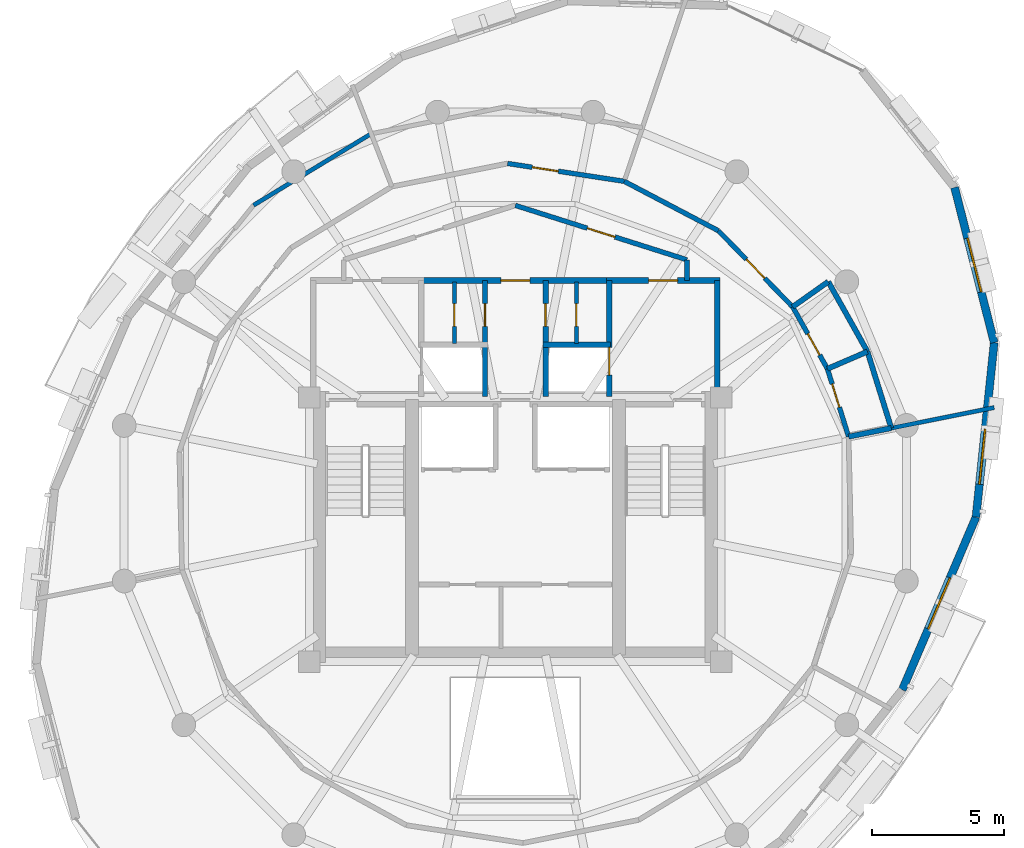
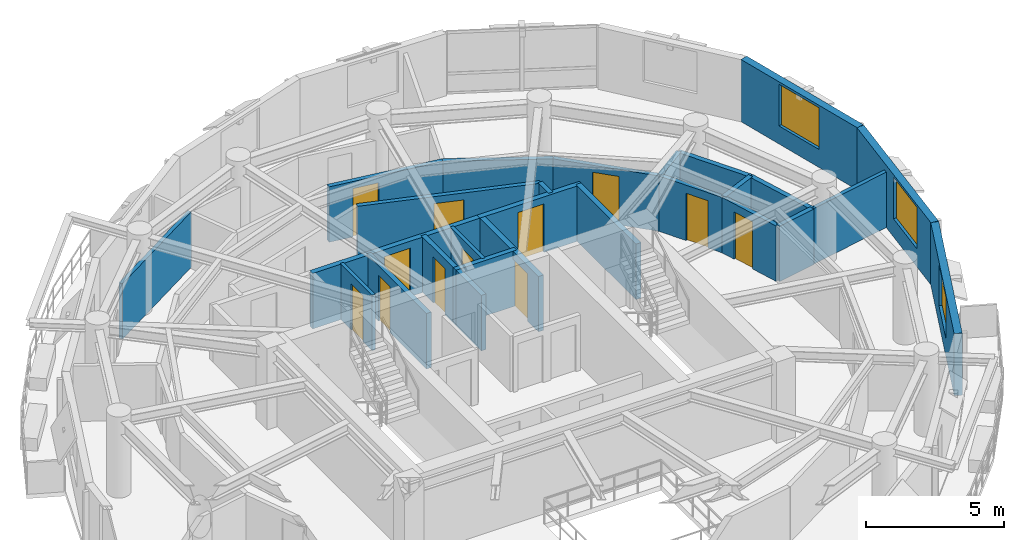
# One storey, part 8 of 11: 26 walls, 12 doors, 3 windows, 15 openings.
"""IFC4 building model written with IfcOpenShell, lengths in metres."""

from ifc_helpers import new_model, si_unit, direction, frame, frame_2d, origin, place, context, subcontext, project, spatial, rectangle, extrude, material, layer, layer_set, type_object, element, fill, save


model = new_model("IFC4")

# Units and contexts
model_context = context("Model", 3, precision=1e-05, world=origin(), true_north=direction((0.0, 1.0)))
body_context = subcontext(model_context, "Body", "Model", "MODEL_VIEW")
ifc_project = project(units=[si_unit("LENGTHUNIT", "METRE"), si_unit("AREAUNIT", "SQUARE_METRE"), si_unit("VOLUMEUNIT", "CUBIC_METRE"), si_unit("PLANEANGLEUNIT", "RADIAN"), si_unit("MASSUNIT", "GRAM", prefix="KILO"), si_unit("THERMODYNAMICTEMPERATUREUNIT", "KELVIN"), si_unit("POWERUNIT", "WATT")], contexts=[model_context])

# Site, building, storey
site_placement = place(None, origin())
site = spatial("IfcSite", under=ifc_project, at=site_placement, CompositionType="ELEMENT")
building_placement = place(site_placement, origin())
building = spatial("IfcBuilding", under=site, at=building_placement, Name="Ocrelia Relay Tower", CompositionType="ELEMENT")
storey_placement = place(building_placement, frame((0.0, 0.0, 244.800048828125)))
storey = spatial("IfcBuildingStorey", under=building, at=storey_placement, Name="L60", CompositionType="ELEMENT", Elevation=244.800048828125)

# Wall
ifc_material_1 = material(Name="Gypsum Fireboard Partition EI60", Category="gypsum")
ifc_layer_1 = layer(ifc_material_1, 0.179931640625, Name="Gypsum Fireboard Partition EI60")
ifc_layer_set_1 = layer_set([ifc_layer_1], Name="Gypsum Fireboard Partition EI60")
wall_type_1 = type_object("IfcWallType", Name="W-CORR-EI60-180", PredefinedType="PARTITIONING", material=ifc_layer_set_1)
wall_1_placement = place(storey_placement, frame((40.5, 35.218994140625, 0.0), z_axis=(0.0, 0.0, 1.0), x_axis=(0.0, -1.0, 0.0)))
element("IfcWall", 1, at=wall_1_placement, inside=storey, type_object=wall_type_1, Name="L60 Smoke Lobby East Return", PredefinedType="PARTITIONING", context=body_context, shape_type="SweptSolid", body=[
    extrude(rectangle(XDim=0.7890625, YDim=0.179931640625, at=frame_2d((0.39453125, 0.0))), origin(), (0.0, 0.0, 1.0), 2.4599609375),
])

# Wall, opening, door
wall_2_placement = place(storey_placement, frame((34.0, 37.280029296875, 0.0), z_axis=(0.0, 0.0, 1.0), x_axis=(0.953228121756, -0.302251795518, 0.0)))
wall_2 = element("IfcWall", 2, at=wall_2_placement, inside=storey, type_object=wall_type_1, Name="L60 North Smoke Lobby E Screen Wall", PredefinedType="PARTITIONING", context=body_context, shape_type="SweptSolid", body=[
    extrude(rectangle(XDim=6.81884765625, YDim=0.179931640625, at=frame_2d((3.409423828125, 0.0))), origin(), (0.0, 0.0, 1.0), 2.4599609375),
])
opening_1_placement = place(wall_2_placement, frame((2.859619140625, 0.0, 0.0)))
opening_1 = element("IfcOpeningElement", 3, at=opening_1_placement, cuts=wall_2, Name="Opening D-FD60", PredefinedType="OPENING", context=body_context, shape_type="SweptSolid", body=[
    extrude(rectangle(XDim=1.10009765625, YDim=2.14990234375, at=frame_2d((0.550048828125, 1.074951171875))), frame((0.0, 0.10009765625, 0.0), z_axis=(0.0, -1.0, 0.0), x_axis=(1.0, 0.0, 0.0)), (0.0, 0.0, 1.0), 0.199951171875),
])
ifc_material_2 = material(Name="Timber-core 60-min acoustic fire door", Category="wood")
door_type_1 = type_object("IfcDoorType", Name="DR-LOBBY-FD60-1100", OperationType="NOTDEFINED", PredefinedType="DOOR", material=ifc_material_2)
door_1_placement = place(opening_1_placement, origin())
door_1 = element("IfcDoor", 4, at=door_1_placement, inside=storey, type_object=door_type_1, Name="L60 North Smoke Lobby E Fire Door", OperationType="SINGLE_SWING_LEFT", OverallHeight=2.14990234375, OverallWidth=1.10009765625, PredefinedType="DOOR", context=body_context, shape_type="SweptSolid", body=[
    extrude(rectangle(XDim=1.10009765625, YDim=2.14990234375, at=frame_2d((0.550048828125, 1.074951171875))), frame((0.0, 0.02490234375, 0.0), z_axis=(0.0, -1.0, 0.0), x_axis=(1.0, 0.0, 0.0)), (0.0, 0.0, 1.0), 0.050048828125),
])
fill(opening_1, door_1)

wall_3_placement = place(storey_placement, frame((46.62060546875, 28.521728515625, 0.0), z_axis=(0.0, 0.0, 1.0), x_axis=(-0.297412131429, 0.954749194333, 0.0)))
wall_3 = element("IfcWall", 5, at=wall_3_placement, inside=storey, type_object=wall_type_1, Name="L60 Staff Toilet Corridor Wall", PredefinedType="PARTITIONING", context=body_context, shape_type="SweptSolid", body=[
    extrude(rectangle(XDim=2.69091796875, YDim=0.179931640625, at=frame_2d((1.345458984375, 0.0))), origin(), (0.0, 0.0, 1.0), 2.4599609375),
])
opening_2_placement = place(wall_3_placement, frame((1.16748046875, 0.0, 0.0)))
opening_2 = element("IfcOpeningElement", 6, at=opening_2_placement, cuts=wall_3, Name="Opening D-WC92", PredefinedType="OPENING", context=body_context, shape_type="SweptSolid", body=[
    extrude(rectangle(XDim=0.919921875, YDim=2.10009765625, at=frame_2d((0.4599609375, 1.050048828125))), frame((0.0, 0.10009765625, 0.0), z_axis=(0.0, -1.0, 0.0), x_axis=(1.0, 0.0, 0.0)), (0.0, 0.0, 1.0), 0.199951171875),
])
ifc_material_3 = material(Name="Laminate washroom door", Category="wood")
door_type_2 = type_object("IfcDoorType", Name="DR-WC-920", OperationType="NOTDEFINED", PredefinedType="DOOR", material=ifc_material_3)
door_2_placement = place(opening_2_placement, origin())
door_2 = element("IfcDoor", 7, at=door_2_placement, inside=storey, type_object=door_type_2, Name="L60 Staff Toilet Door", OperationType="SINGLE_SWING_RIGHT", OverallHeight=2.10009765625, OverallWidth=0.919921875, PredefinedType="DOOR", context=body_context, shape_type="SweptSolid", body=[
    extrude(rectangle(XDim=0.919921875, YDim=2.10009765625, at=frame_2d((0.4599609375, 1.050048828125))), frame((0.0, 0.02490234375, 0.0), z_axis=(0.0, -1.0, 0.0), x_axis=(1.0, 0.0, 0.0)), (0.0, 0.0, 1.0), 0.050048828125),
])
fill(opening_2, door_2)

wall_4_placement = place(storey_placement, frame((45.8203125, 31.0908203125, 0.0), z_axis=(0.0, 0.0, 1.0), x_axis=(-0.489390699712, 0.87206464384, 0.0)))
wall_4 = element("IfcWall", 8, at=wall_4_placement, inside=storey, type_object=wall_type_1, Name="L60 Accessible Toilet Corridor Wall", PredefinedType="PARTITIONING", context=body_context, shape_type="SweptSolid", body=[
    extrude(rectangle(XDim=2.6904296875, YDim=0.179931640625, at=frame_2d((1.34521484375, 0.0))), origin(), (0.0, 0.0, 1.0), 2.4599609375),
])
opening_3_placement = place(wall_4_placement, frame((0.603271484375, 0.0, 0.0)))
opening_3 = element("IfcOpeningElement", 9, at=opening_3_placement, cuts=wall_4, Name="Opening D-WC92", PredefinedType="OPENING", context=body_context, shape_type="SweptSolid", body=[
    extrude(rectangle(XDim=0.919921875, YDim=2.10009765625, at=frame_2d((0.4599609375, 1.050048828125))), frame((0.0, 0.10009765625, 0.0), z_axis=(0.0, -1.0, 0.0), x_axis=(1.0, 0.0, 0.0)), (0.0, 0.0, 1.0), 0.199951171875),
])
door_3_placement = place(opening_3_placement, origin())
door_3 = element("IfcDoor", 10, at=door_3_placement, inside=storey, type_object=door_type_2, Name="L60 Accessible Toilet Door", OperationType="SINGLE_SWING_LEFT", OverallHeight=2.10009765625, OverallWidth=0.919921875, PredefinedType="DOOR", context=body_context, shape_type="SweptSolid", body=[
    extrude(rectangle(XDim=0.919921875, YDim=2.10009765625, at=frame_2d((0.4599609375, 1.050048828125))), frame((0.0, 0.02490234375, 0.0), z_axis=(0.0, -1.0, 0.0), x_axis=(1.0, 0.0, 0.0)), (0.0, 0.0, 1.0), 0.050048828125),
])
fill(opening_3, door_3)

wall_5_placement = place(storey_placement, frame((44.503662109375, 33.43701171875, 0.0), z_axis=(0.0, 0.0, 1.0), x_axis=(-0.698414008372, 0.715693979931, 0.0)))
wall_5 = element("IfcWall", 11, at=wall_5_placement, inside=storey, type_object=wall_type_1, Name="L60 Executive Boardroom Corridor Partition 1", PredefinedType="PARTITIONING", context=body_context, shape_type="SweptSolid", body=[
    extrude(rectangle(XDim=4.026611328125, YDim=0.179931640625, at=frame_2d((2.01318359375, 0.0))), origin(), (0.0, 0.0, 1.0), 2.4599609375),
])
opening_4_placement = place(wall_5_placement, frame((1.513427734375, 0.0, 0.0)))
opening_4 = element("IfcOpeningElement", 12, at=opening_4_placement, cuts=wall_5, Name="Opening D-RM100", PredefinedType="OPENING", context=body_context, shape_type="SweptSolid", body=[
    extrude(rectangle(XDim=1.0, YDim=2.14990234375, at=frame_2d((0.5, 1.074951171875))), frame((0.0, 0.10009765625, 0.0), z_axis=(0.0, -1.0, 0.0), x_axis=(1.0, 0.0, 0.0)), (0.0, 0.0, 1.0), 0.199951171875),
])
ifc_material_4 = material(Name="Acoustic oak veneer fire door", Category="wood")
door_type_3 = type_object("IfcDoorType", Name="DR-ROOM-FD60-1000", OperationType="NOTDEFINED", PredefinedType="DOOR", material=ifc_material_4)
door_4_placement = place(opening_4_placement, origin())
door_4 = element("IfcDoor", 13, at=door_4_placement, inside=storey, type_object=door_type_3, Name="L60 Executive Boardroom Entrance Door", OperationType="SINGLE_SWING_RIGHT", OverallHeight=2.14990234375, OverallWidth=1.0, PredefinedType="DOOR", context=body_context, shape_type="SweptSolid", body=[
    extrude(rectangle(XDim=1.0, YDim=2.14990234375, at=frame_2d((0.5, 1.074951171875))), frame((0.0, 0.02490234375, 0.0), z_axis=(0.0, -1.0, 0.0), x_axis=(1.0, 0.0, 0.0)), (0.0, 0.0, 1.0), 0.050048828125),
])
fill(opening_4, door_4)

# Wall
wall_6_placement = place(storey_placement, frame((41.69140625, 36.31884765625, 0.0), z_axis=(0.0, 0.0, 1.0), x_axis=(-0.885387297467, 0.464854099136, 0.0)))
element("IfcWall", 14, at=wall_6_placement, inside=storey, type_object=wall_type_1, Name="L60 Executive Boardroom Corridor Partition 2", PredefinedType="PARTITIONING", context=body_context, shape_type="SweptSolid", body=[
    extrude(rectangle(XDim=4.026611328125, YDim=0.179931640625, at=frame_2d((2.01318359375, 0.0))), origin(), (0.0, 0.0, 1.0), 2.4599609375),
])

# Wall, opening, door
wall_7_placement = place(storey_placement, frame((38.126220703125, 38.190673828125, 0.0), z_axis=(0.0, 0.0, 1.0), x_axis=(-0.988495766308, 0.151248537156, 0.0)))
wall_7 = element("IfcWall", 15, at=wall_7_placement, inside=storey, type_object=wall_type_1, Name="L60 Directorate Conference Room Corridor Partition 1", PredefinedType="PARTITIONING", context=body_context, shape_type="SweptSolid", body=[
    extrude(rectangle(XDim=4.4697265625, YDim=0.179931640625, at=frame_2d((2.23486328125, 0.0))), origin(), (0.0, 0.0, 1.0), 2.4599609375),
])
opening_5_placement = place(wall_7_placement, frame((2.52734375, 0.0, 0.0)))
opening_5 = element("IfcOpeningElement", 16, at=opening_5_placement, cuts=wall_7, Name="Opening D-RM100", PredefinedType="OPENING", context=body_context, shape_type="SweptSolid", body=[
    extrude(rectangle(XDim=1.0, YDim=2.14990234375, at=frame_2d((0.5, 1.074951171875))), frame((0.0, 0.10009765625, 0.0), z_axis=(0.0, -1.0, 0.0), x_axis=(1.0, 0.0, 0.0)), (0.0, 0.0, 1.0), 0.199951171875),
])
door_5_placement = place(opening_5_placement, origin())
door_5 = element("IfcDoor", 17, at=door_5_placement, inside=storey, type_object=door_type_3, Name="L60 Directorate Conference Room Entrance Door", OperationType="SINGLE_SWING_LEFT", OverallHeight=2.14990234375, OverallWidth=1.0, PredefinedType="DOOR", context=body_context, shape_type="SweptSolid", body=[
    extrude(rectangle(XDim=1.0, YDim=2.14990234375, at=frame_2d((0.5, 1.074951171875))), frame((0.0, 0.02490234375, 0.0), z_axis=(0.0, -1.0, 0.0), x_axis=(1.0, 0.0, 0.0)), (0.0, 0.0, 1.0), 0.050048828125),
])
fill(opening_5, door_5)

# Wall, opening, window
ifc_material_5 = material(Name="Precast concrete C40/50 with oxide terracotta", Category="masonry")
ifc_layer_2 = layer(ifc_material_5, 0.300048828125, Name="Precast concrete C40/50 with oxide terracotta")
ifc_layer_set_2 = layer_set([ifc_layer_2], Name="Precast concrete C40/50 with oxide terracotta")
wall_type_2 = type_object("IfcWallType", Name="W-EXT-TERR-300", PredefinedType="SOLIDWALL", material=ifc_layer_set_2)
wall_8_placement = place(storey_placement, frame((48.654052734375, 18.9326171875, 0.0), z_axis=(0.0, 0.0, 1.0), x_axis=(0.392473519116, 0.919763304765, 0.0)))
wall_8 = element("IfcWall", 18, at=wall_8_placement, inside=storey, type_object=wall_type_2, Name="L60 Oxide Terracotta Facade Wall 15", PredefinedType="SOLIDWALL", context=body_context, shape_type="SweptSolid", body=[
    extrude(rectangle(XDim=7.114990234375, YDim=0.300048828125, at=frame_2d((3.5576171875, 0.0))), origin(), (0.0, 0.0, 1.0), 2.760009765625),
])
opening_6_placement = place(wall_8_placement, frame((2.508056640625, 0.0, 0.800048828125)))
opening_6 = element("IfcOpeningElement", 19, at=opening_6_placement, cuts=wall_8, Name="Opening W-07", PredefinedType="OPENING", context=body_context, shape_type="SweptSolid", body=[
    extrude(rectangle(XDim=2.10009765625, YDim=1.85009765625, at=frame_2d((1.050048828125, 0.925048828125))), frame((0.0, 0.16015625, 0.0), z_axis=(0.0, -1.0, 0.0), x_axis=(1.0, 0.0, 0.0)), (0.0, 0.0, 1.0), 0.320068359375),
])
ifc_material_6 = material(Name="Clear double-glazed low-E glass", Category="glass")
window_type = type_object("IfcWindowType", Name="WIN-Z4-2100x2200", PartitioningType="DOUBLE_PANEL_VERTICAL", PredefinedType="WINDOW", material=ifc_material_6)
window_1_placement = place(opening_6_placement, origin())
window_1 = element("IfcWindow", 20, at=window_1_placement, inside=storey, type_object=window_type, Name="L60 Facade Module Window 15", OverallHeight=1.85009765625, OverallWidth=2.10009765625, PartitioningType="SINGLE_PANEL", PredefinedType="WINDOW", context=body_context, shape_type="SweptSolid", body=[
    extrude(rectangle(XDim=2.10009765625, YDim=1.85009765625, at=frame_2d((1.050048828125, 0.925048828125))), frame((0.0, 0.030029296875, 0.0), z_axis=(0.0, -1.0, 0.0), x_axis=(1.0, 0.0, 0.0)), (0.0, 0.0, 1.0), 0.06005859375),
])
fill(opening_6, window_1)

wall_9_placement = place(storey_placement, frame((51.446533203125, 25.476806640625, 0.0), z_axis=(0.0, 0.0, 1.0), x_axis=(0.103600024901, 0.994619040055, 0.0)))
wall_9 = element("IfcWall", 21, at=wall_9_placement, inside=storey, type_object=wall_type_2, Name="L60 Oxide Terracotta Facade Wall 16", PredefinedType="SOLIDWALL", context=body_context, shape_type="SweptSolid", body=[
    extrude(rectangle(XDim=6.64306640625, YDim=0.300048828125, at=frame_2d((3.321533203125, 0.0))), origin(), (0.0, 0.0, 1.0), 2.760009765625),
])
opening_7_placement = place(wall_9_placement, frame((1.2509765625, 0.0, 0.800048828125)))
opening_7 = element("IfcOpeningElement", 22, at=opening_7_placement, cuts=wall_9, Name="Opening W-07", PredefinedType="OPENING", context=body_context, shape_type="SweptSolid", body=[
    extrude(rectangle(XDim=2.10009765625, YDim=1.85009765625, at=frame_2d((1.050048828125, 0.925048828125))), frame((0.0, 0.16015625, 0.0), z_axis=(0.0, -1.0, 0.0), x_axis=(1.0, 0.0, 0.0)), (0.0, 0.0, 1.0), 0.320068359375),
])
window_2_placement = place(opening_7_placement, origin())
window_2 = element("IfcWindow", 23, at=window_2_placement, inside=storey, type_object=window_type, Name="L60 Facade Module Window 16", OverallHeight=1.85009765625, OverallWidth=2.10009765625, PartitioningType="SINGLE_PANEL", PredefinedType="WINDOW", context=body_context, shape_type="SweptSolid", body=[
    extrude(rectangle(XDim=2.10009765625, YDim=1.85009765625, at=frame_2d((1.050048828125, 0.925048828125))), frame((0.0, 0.030029296875, 0.0), z_axis=(0.0, -1.0, 0.0), x_axis=(1.0, 0.0, 0.0)), (0.0, 0.0, 1.0), 0.06005859375),
])
fill(opening_7, window_2)

wall_10_placement = place(storey_placement, frame((52.134765625, 32.084228515625, 0.0), z_axis=(0.0, 0.0, 1.0), x_axis=(-0.247289924711, 0.968941532362, 0.0)))
wall_10 = element("IfcWall", 24, at=wall_10_placement, inside=storey, type_object=wall_type_2, Name="L60 Oxide Terracotta Facade Wall 17", PredefinedType="SOLIDWALL", context=body_context, shape_type="SweptSolid", body=[
    extrude(rectangle(XDim=6.061767578125, YDim=0.300048828125, at=frame_2d((3.03076171875, 0.0))), origin(), (0.0, 0.0, 1.0), 2.760009765625),
])
opening_8_placement = place(wall_10_placement, frame((1.98095703125, 0.0, 0.800048828125)))
opening_8 = element("IfcOpeningElement", 25, at=opening_8_placement, cuts=wall_10, Name="Opening W-07", PredefinedType="OPENING", context=body_context, shape_type="SweptSolid", body=[
    extrude(rectangle(XDim=2.10009765625, YDim=1.85009765625, at=frame_2d((1.050048828125, 0.925048828125))), frame((0.0, 0.16015625, 0.0), z_axis=(0.0, -1.0, 0.0), x_axis=(1.0, 0.0, 0.0)), (0.0, 0.0, 1.0), 0.320068359375),
])
window_3_placement = place(opening_8_placement, origin())
window_3 = element("IfcWindow", 26, at=window_3_placement, inside=storey, type_object=window_type, Name="L60 Facade Module Window 17", OverallHeight=1.85009765625, OverallWidth=2.10009765625, PartitioningType="SINGLE_PANEL", PredefinedType="WINDOW", context=body_context, shape_type="SweptSolid", body=[
    extrude(rectangle(XDim=2.10009765625, YDim=1.85009765625, at=frame_2d((1.050048828125, 0.925048828125))), frame((0.0, 0.030029296875, 0.0), z_axis=(0.0, -1.0, 0.0), x_axis=(1.0, 0.0, 0.0)), (0.0, 0.0, 1.0), 0.06005859375),
])
fill(opening_8, window_3)

# Wall, opening, door
ifc_material_7 = material(Name="Concrete C50/60", Category="concrete")
ifc_layer_3 = layer(ifc_material_7, 0.219970703125, Name="Concrete C50/60")
ifc_layer_set_3 = layer_set([ifc_layer_3], Name="Concrete C50/60")
wall_type_3 = type_object("IfcWallType", Name="W-FFL-EI120-220", PredefinedType="SOLIDWALL", material=ifc_layer_set_3)
wall_11_placement = place(storey_placement, frame((37.56005859375, 30.050048828125, 0.0), z_axis=(0.0, 0.0, 1.0), x_axis=(0.0, 1.0, 0.0)))
wall_11 = element("IfcWall", 27, at=wall_11_placement, inside=storey, type_object=wall_type_3, Name="L60 E Fire Service Lift Lobby West Wall", PredefinedType="SOLIDWALL", context=body_context, shape_type="SweptSolid", body=[
    extrude(rectangle(XDim=4.3798828125, YDim=0.219970703125, at=frame_2d((2.18994140625, 0.0))), origin(), (0.0, 0.0, 1.0), 2.4599609375),
])
opening_9_placement = place(wall_11_placement, frame((0.800048828125, 0.0, 0.0)))
opening_9 = element("IfcOpeningElement", 28, at=opening_9_placement, cuts=wall_11, Name="Opening LD-FFL2", PredefinedType="OPENING", context=body_context, shape_type="SweptSolid", body=[
    extrude(rectangle(XDim=1.050048828125, YDim=2.10009765625, at=frame_2d((0.52490234375, 1.050048828125))), frame((0.0, 0.1201171875, 0.0), z_axis=(0.0, -1.0, 0.0), x_axis=(1.0, 0.0, 0.0)), (0.0, 0.0, 1.0), 0.239990234375),
])
ifc_material_8 = material(Name="Brushed stainless steel S355 lift landing door", Category="steel")
door_type_4 = type_object("IfcDoorType", Name="DR-LIFT-LAND-1050", OperationType="DOUBLE_DOOR_SLIDING", PredefinedType="USERDEFINED", material=ifc_material_8)
door_6_placement = place(opening_9_placement, origin())
door_6 = element("IfcDoor", 29, at=door_6_placement, inside=storey, type_object=door_type_4, Name="L60 Firefighting Lift FFL2 Sliding Landing Door", ObjectType="LANDING DOOR", OperationType="DOUBLE_DOOR_SLIDING", OverallHeight=2.10009765625, OverallWidth=1.050048828125, PredefinedType="USERDEFINED", context=body_context, shape_type="SweptSolid", body=[
    extrude(rectangle(XDim=1.050048828125, YDim=2.10009765625, at=frame_2d((0.52490234375, 1.050048828125))), frame((0.0, 0.02490234375, 0.0), z_axis=(0.0, -1.0, 0.0), x_axis=(1.0, 0.0, 0.0)), (0.0, 0.0, 1.0), 0.050048828125),
])
fill(opening_9, door_6)

# Wall
wall_12_placement = place(storey_placement, frame((41.64990234375, 30.050048828125, 0.0), z_axis=(0.0, 0.0, 1.0), x_axis=(0.0, 1.0, 0.0)))
element("IfcWall", 30, at=wall_12_placement, inside=storey, type_object=wall_type_3, Name="L60 E Fire Service Lift Lobby East Wall", PredefinedType="SOLIDWALL", context=body_context, shape_type="SweptSolid", body=[
    extrude(rectangle(XDim=4.3798828125, YDim=0.219970703125, at=frame_2d((2.18994140625, 0.0))), origin(), (0.0, 0.0, 1.0), 2.4599609375),
])

# Wall, opening, door
wall_13_placement = place(storey_placement, frame((37.449951171875, 34.429931640625, 0.0), z_axis=(0.0, 0.0, 1.0), x_axis=(1.0, 0.0, 0.0)))
wall_13 = element("IfcWall", 31, at=wall_13_placement, inside=storey, type_object=wall_type_3, Name="L60 E Fire Service Lift Lobby North Wall", PredefinedType="SOLIDWALL", context=body_context, shape_type="SweptSolid", body=[
    extrude(rectangle(XDim=4.31005859375, YDim=0.219970703125, at=frame_2d((2.155029296875, 0.0))), origin(), (0.0, 0.0, 1.0), 2.4599609375),
])
opening_10_placement = place(wall_13_placement, frame((1.60009765625, 0.0, 0.0)))
opening_10 = element("IfcOpeningElement", 32, at=opening_10_placement, cuts=wall_13, Name="Opening D-FD60", PredefinedType="OPENING", context=body_context, shape_type="SweptSolid", body=[
    extrude(rectangle(XDim=1.10009765625, YDim=2.14990234375, at=frame_2d((0.550048828125, 1.074951171875))), frame((0.0, 0.1201171875, 0.0), z_axis=(0.0, -1.0, 0.0), x_axis=(1.0, 0.0, 0.0)), (0.0, 0.0, 1.0), 0.239990234375),
])
door_7_placement = place(opening_10_placement, origin())
door_7 = element("IfcDoor", 33, at=door_7_placement, inside=storey, type_object=door_type_1, Name="L60 E Fire Service Lift Lobby Exit Door", OperationType="SINGLE_SWING_LEFT", OverallHeight=2.14990234375, OverallWidth=1.10009765625, PredefinedType="DOOR", context=body_context, shape_type="SweptSolid", body=[
    extrude(rectangle(XDim=1.10009765625, YDim=2.14990234375, at=frame_2d((0.550048828125, 1.074951171875))), frame((0.0, 0.02490234375, 0.0), z_axis=(0.0, -1.0, 0.0), x_axis=(1.0, 0.0, 0.0)), (0.0, 0.0, 1.0), 0.050048828125),
])
fill(opening_10, door_7)

wall_14_placement = place(storey_placement, frame((30.43994140625, 34.429931640625, 0.0), z_axis=(0.0, 0.0, 1.0), x_axis=(1.0, 0.0, 0.0)))
wall_14 = element("IfcWall", 34, at=wall_14_placement, inside=storey, type_object=wall_type_3, Name="L60 North Core Vestibule Wall", PredefinedType="SOLIDWALL", context=body_context, shape_type="SweptSolid", body=[
    extrude(rectangle(XDim=7.1201171875, YDim=0.219970703125, at=frame_2d((3.56005859375, 0.0))), origin(), (0.0, 0.0, 1.0), 2.4599609375),
])
opening_11_placement = place(wall_14_placement, frame((3.010009765625, 0.0, 0.0)))
opening_11 = element("IfcOpeningElement", 35, at=opening_11_placement, cuts=wall_14, Name="Opening D-FD60", PredefinedType="OPENING", context=body_context, shape_type="SweptSolid", body=[
    extrude(rectangle(XDim=1.10009765625, YDim=2.14990234375, at=frame_2d((0.550048828125, 1.074951171875))), frame((0.0, 0.1201171875, 0.0), z_axis=(0.0, -1.0, 0.0), x_axis=(1.0, 0.0, 0.0)), (0.0, 0.0, 1.0), 0.239990234375),
])
door_8_placement = place(opening_11_placement, origin())
door_8 = element("IfcDoor", 36, at=door_8_placement, inside=storey, type_object=door_type_1, Name="L60 North Core Vestibule Corridor Door", OperationType="SINGLE_SWING_LEFT", OverallHeight=2.14990234375, OverallWidth=1.10009765625, PredefinedType="DOOR", context=body_context, shape_type="SweptSolid", body=[
    extrude(rectangle(XDim=1.10009765625, YDim=2.14990234375, at=frame_2d((0.550048828125, 1.074951171875))), frame((0.0, 0.02490234375, 0.0), z_axis=(0.0, -1.0, 0.0), x_axis=(1.0, 0.0, 0.0)), (0.0, 0.0, 1.0), 0.050048828125),
])
fill(opening_11, door_8)

ifc_material_9 = material(Name="Acoustic Fireboard Partition EI60", Category="gypsum")
ifc_layer_4 = layer(ifc_material_9, 0.14990234375, Name="Acoustic Fireboard Partition EI60")
ifc_layer_set_4 = layer_set([ifc_layer_4], Name="Acoustic Fireboard Partition EI60")
wall_type_4 = type_object("IfcWallType", Name="W-PART-150", PredefinedType="PARTITIONING", material=ifc_layer_set_4)
wall_15_placement = place(storey_placement, frame((31.68994140625, 32.050048828125, 0.0), z_axis=(0.0, 0.0, 1.0), x_axis=(0.0, 1.0, 0.0)))
wall_15 = element("IfcWall", 37, at=wall_15_placement, inside=storey, type_object=wall_type_4, Name="L60 West Core Support Partition", PredefinedType="PARTITIONING", context=body_context, shape_type="SweptSolid", body=[
    extrude(rectangle(XDim=2.329833984375, YDim=0.14990234375, at=frame_2d((1.1650390625, 0.0))), origin(), (0.0, 0.0, 1.0), 2.4599609375),
])
opening_12_placement = place(wall_15_placement, frame((0.64990234375, 0.0, 0.0)))
opening_12 = element("IfcOpeningElement", 38, at=opening_12_placement, cuts=wall_15, Name="Opening D-RS86", PredefinedType="OPENING", context=body_context, shape_type="SweptSolid", body=[
    extrude(rectangle(XDim=0.860107421875, YDim=2.050048828125, at=frame_2d((0.43017578125, 1.02490234375))), frame((0.0, 0.0849609375, 0.0), z_axis=(0.0, -1.0, 0.0), x_axis=(1.0, 0.0, 0.0)), (0.0, 0.0, 1.0), 0.169921875),
])
ifc_material_10 = material(Name="Steel S355 riser access fire door", Category="steel")
door_type_5 = type_object("IfcDoorType", Name="DR-RISER-TRAP-860", OperationType="NOTDEFINED", PredefinedType="TRAPDOOR", material=ifc_material_10)
door_9_placement = place(opening_12_placement, origin())
door_9 = element("IfcDoor", 39, at=door_9_placement, inside=storey, type_object=door_type_5, Name="L60 West Core Store Connecting Door", OperationType="SINGLE_SWING_RIGHT", OverallHeight=2.050048828125, OverallWidth=0.860107421875, PredefinedType="TRAPDOOR", context=body_context, shape_type="SweptSolid", body=[
    extrude(rectangle(XDim=0.860107421875, YDim=2.050048828125, at=frame_2d((0.43017578125, 1.02490234375))), frame((0.0, 0.02490234375, 0.0), z_axis=(0.0, -1.0, 0.0), x_axis=(1.0, 0.0, 0.0)), (0.0, 0.0, 1.0), 0.050048828125),
])
fill(opening_12, door_9)

wall_16_placement = place(storey_placement, frame((36.31005859375, 32.050048828125, 0.0), z_axis=(0.0, 0.0, 1.0), x_axis=(0.0, 1.0, 0.0)))
wall_16 = element("IfcWall", 40, at=wall_16_placement, inside=storey, type_object=wall_type_4, Name="L60 East Core Support Partition", PredefinedType="PARTITIONING", context=body_context, shape_type="SweptSolid", body=[
    extrude(rectangle(XDim=2.329833984375, YDim=0.14990234375, at=frame_2d((1.1650390625, 0.0))), origin(), (0.0, 0.0, 1.0), 2.4599609375),
])
opening_13_placement = place(wall_16_placement, frame((0.64990234375, 0.0, 0.0)))
opening_13 = element("IfcOpeningElement", 41, at=opening_13_placement, cuts=wall_16, Name="Opening D-RS86", PredefinedType="OPENING", context=body_context, shape_type="SweptSolid", body=[
    extrude(rectangle(XDim=0.860107421875, YDim=2.050048828125, at=frame_2d((0.43017578125, 1.02490234375))), frame((0.0, 0.0849609375, 0.0), z_axis=(0.0, -1.0, 0.0), x_axis=(1.0, 0.0, 0.0)), (0.0, 0.0, 1.0), 0.169921875),
])
door_10_placement = place(opening_13_placement, origin())
door_10 = element("IfcDoor", 42, at=door_10_placement, inside=storey, type_object=door_type_5, Name="L60 East Core Store Connecting Door", OperationType="SINGLE_SWING_LEFT", OverallHeight=2.050048828125, OverallWidth=0.860107421875, PredefinedType="TRAPDOOR", context=body_context, shape_type="SweptSolid", body=[
    extrude(rectangle(XDim=0.860107421875, YDim=2.050048828125, at=frame_2d((0.43017578125, 1.02490234375))), frame((0.0, 0.02490234375, 0.0), z_axis=(0.0, -1.0, 0.0), x_axis=(1.0, 0.0, 0.0)), (0.0, 0.0, 1.0), 0.050048828125),
])
fill(opening_13, door_10)

# Walls
ifc_layer_5 = layer(ifc_material_9, 0.159912109375, Name="Acoustic Fireboard Partition EI60")
ifc_layer_set_5 = layer_set([ifc_layer_5], Name="Acoustic Fireboard Partition EI60")
wall_type_5 = type_object("IfcWallType", Name="W-PART-160", PredefinedType="PARTITIONING", material=ifc_layer_set_5)
wall_17_placement = place(storey_placement, frame((48.238525390625, 28.84521484375, 0.0), z_axis=(0.0, 0.0, 1.0), x_axis=(0.980618489402, 0.195926971709, 0.0)))
element("IfcWall", 43, at=wall_17_placement, inside=storey, type_object=wall_type_5, Name="L60 Executive Boardroom Radial Partition", PredefinedType="PARTITIONING", context=body_context, shape_type="SweptSolid", body=[
    extrude(rectangle(XDim=3.97119140625, YDim=0.159912109375, at=frame_2d((1.985595703125, 0.0))), origin(), (0.0, 0.0, 1.0), 2.4599609375),
])
wall_18_placement = place(storey_placement, frame((28.5439453125, 39.993896484375, 0.0), z_axis=(0.0, 0.0, 1.0), x_axis=(-0.854455131512, -0.519525194993, 0.0)))
element("IfcWall", 44, at=wall_18_placement, inside=storey, type_object=wall_type_5, Name="L60 Perimeter Regulatory Seminar Room Mid-Ring Partition 1", PredefinedType="PARTITIONING", context=body_context, shape_type="SweptSolid", body=[
    extrude(rectangle(XDim=5.21630859375, YDim=0.159912109375, at=frame_2d((2.608154296875, 0.0))), origin(), (0.0, 0.0, 1.0), 2.4599609375),
])
ifc_material_11 = material(Name="Moisture-Resistant Fireboard Chase Wall EI60", Category="gypsum")
ifc_layer_6 = layer(ifc_material_11, 0.199951171875, Name="Moisture-Resistant Fireboard Chase Wall EI60")
ifc_layer_set_6 = layer_set([ifc_layer_6], Name="Moisture-Resistant Fireboard Chase Wall EI60")
wall_type_6 = type_object("IfcWallType", Name="W-PLUMB-200", PredefinedType="PLUMBINGWALL", material=ifc_layer_set_6)
for number, where, z_axis, x_axis, name in (
    (45, (46.62060546875, 28.521728515625, 0.0), (0.0, 0.0, 1.0), (0.980592056288, 0.196059223567, 0.0), "L60 Staff Toilet Plumbing Radial Wall"),
    (46, (45.8203125, 31.0908203125, 0.0), (0.0, 0.0, 1.0), (0.91845479512, 0.395525965419, 0.0), "L60 Staff Toilet Plumbing Radial Wall"),
):
    element("IfcWall", number, at=place(storey_placement, frame(where, z_axis=z_axis, x_axis=x_axis)), inside=storey, type_object=wall_type_6, Name=name, PredefinedType="PLUMBINGWALL", context=body_context, shape_type="SweptSolid", body=[
        extrude(rectangle(XDim=1.64990234375, YDim=0.199951171875, at=frame_2d((0.824951171875, 0.0))), origin(), (0.0, 0.0, 1.0), 2.4599609375),
    ])
wall_19_placement = place(storey_placement, frame((48.238525390625, 28.84521484375, 0.0), z_axis=(0.0, 0.0, 1.0), x_axis=(-0.29741851311, 0.954747206364, 0.0)))
element("IfcWall", 47, at=wall_19_placement, inside=storey, type_object=wall_type_6, Name="L60 Staff Toilet Back Plumbing Wall", PredefinedType="PLUMBINGWALL", context=body_context, shape_type="SweptSolid", body=[
    extrude(rectangle(XDim=3.03564453125, YDim=0.199951171875, at=frame_2d((1.517822265625, 0.0))), origin(), (0.0, 0.0, 1.0), 2.4599609375),
])
wall_20_placement = place(storey_placement, frame((44.503662109375, 33.43701171875, 0.0), z_axis=(0.0, 0.0, 1.0), x_axis=(0.816175668411, 0.577803840671, 0.0)))
element("IfcWall", 48, at=wall_20_placement, inside=storey, type_object=wall_type_6, Name="L60 Accessible Toilet Plumbing Radial Wall", PredefinedType="PLUMBINGWALL", context=body_context, shape_type="SweptSolid", body=[
    extrude(rectangle(XDim=1.64990234375, YDim=0.199951171875, at=frame_2d((0.824951171875, 0.0))), origin(), (0.0, 0.0, 1.0), 2.4599609375),
])
wall_21_placement = place(storey_placement, frame((47.335693359375, 31.743408203125, 0.0), z_axis=(0.0, 0.0, 1.0), x_axis=(-0.489367364299, 0.872077738943, 0.0)))
element("IfcWall", 49, at=wall_21_placement, inside=storey, type_object=wall_type_6, Name="L60 Accessible Toilet Back Plumbing Wall", PredefinedType="PLUMBINGWALL", context=body_context, shape_type="SweptSolid", body=[
    extrude(rectangle(XDim=3.03515625, YDim=0.199951171875, at=frame_2d((1.517578125, 0.0))), origin(), (0.0, 0.0, 1.0), 2.4599609375),
])

# Wall, opening, door
ifc_layer_7 = layer(ifc_material_7, 0.199951171875, Name="Concrete C50/60")
ifc_layer_set_7 = layer_set([ifc_layer_7], Name="Concrete C50/60")
wall_type_7 = type_object("IfcWallType", Name="W-SHAFT-EI120-200", PredefinedType="SOLIDWALL", material=ifc_layer_set_7)
wall_22_placement = place(storey_placement, frame((32.85009765625, 30.050048828125, 0.0), z_axis=(0.0, 0.0, 1.0), x_axis=(0.0, 1.0, 0.0)))
wall_22 = element("IfcWall", 50, at=wall_22_placement, inside=storey, type_object=wall_type_7, Name="L60 FFL1 and Service Vestibule Wall", PredefinedType="SOLIDWALL", context=body_context, shape_type="SweptSolid", body=[
    extrude(rectangle(XDim=4.3798828125, YDim=0.199951171875, at=frame_2d((2.18994140625, 0.0))), origin(), (0.0, 0.0, 1.0), 2.4599609375),
])
opening_14_placement = place(wall_22_placement, frame((2.64990234375, 0.0, 0.0)))
opening_14 = element("IfcOpeningElement", 51, at=opening_14_placement, cuts=wall_22, Name="Opening D-RS86", PredefinedType="OPENING", context=body_context, shape_type="SweptSolid", body=[
    extrude(rectangle(XDim=0.860107421875, YDim=2.050048828125, at=frame_2d((0.43017578125, 1.02490234375))), frame((0.0, 0.10986328125, 0.0), z_axis=(0.0, -1.0, 0.0), x_axis=(1.0, 0.0, 0.0)), (0.0, 0.0, 1.0), 0.219970703125),
])
door_11_placement = place(opening_14_placement, origin())
door_11 = element("IfcDoor", 52, at=door_11_placement, inside=storey, type_object=door_type_5, Name="L60 Core Support Room W Door", OperationType="SINGLE_SWING_RIGHT", OverallHeight=2.050048828125, OverallWidth=0.860107421875, PredefinedType="TRAPDOOR", context=body_context, shape_type="SweptSolid", body=[
    extrude(rectangle(XDim=0.860107421875, YDim=2.050048828125, at=frame_2d((0.43017578125, 1.02490234375))), frame((0.0, 0.02490234375, 0.0), z_axis=(0.0, -1.0, 0.0), x_axis=(1.0, 0.0, 0.0)), (0.0, 0.0, 1.0), 0.050048828125),
])
fill(opening_14, door_11)

# Wall
wall_23_placement = place(storey_placement, frame((35.050048828125, 32.0, 0.0), z_axis=(0.0, 0.0, 1.0), x_axis=(1.0, 0.0, 0.0)))
element("IfcWall", 53, at=wall_23_placement, inside=storey, type_object=wall_type_7, Name="L60 FFL2 Hoistway North Wall", PredefinedType="SOLIDWALL", context=body_context, shape_type="SweptSolid", body=[
    extrude(rectangle(XDim=2.550048828125, YDim=0.199951171875, at=frame_2d((1.27490234375, 0.0))), origin(), (0.0, 0.0, 1.0), 2.4599609375),
])

# Wall, opening, door
wall_24_placement = place(storey_placement, frame((35.14990234375, 30.050048828125, 0.0), z_axis=(0.0, 0.0, 1.0), x_axis=(0.0, 1.0, 0.0)))
wall_24 = element("IfcWall", 54, at=wall_24_placement, inside=storey, type_object=wall_type_7, Name="L60 FFL2 and Service Vestibule Wall", PredefinedType="SOLIDWALL", context=body_context, shape_type="SweptSolid", body=[
    extrude(rectangle(XDim=4.3798828125, YDim=0.199951171875, at=frame_2d((2.18994140625, 0.0))), origin(), (0.0, 0.0, 1.0), 2.4599609375),
])
opening_15_placement = place(wall_24_placement, frame((2.64990234375, 0.0, 0.0)))
opening_15 = element("IfcOpeningElement", 55, at=opening_15_placement, cuts=wall_24, Name="Opening D-RS86", PredefinedType="OPENING", context=body_context, shape_type="SweptSolid", body=[
    extrude(rectangle(XDim=0.860107421875, YDim=2.050048828125, at=frame_2d((0.43017578125, 1.02490234375))), frame((0.0, 0.10986328125, 0.0), z_axis=(0.0, -1.0, 0.0), x_axis=(1.0, 0.0, 0.0)), (0.0, 0.0, 1.0), 0.219970703125),
])
door_12_placement = place(opening_15_placement, origin())
door_12 = element("IfcDoor", 56, at=door_12_placement, inside=storey, type_object=door_type_5, Name="L60 Core Support Room E Door", OperationType="SINGLE_SWING_RIGHT", OverallHeight=2.050048828125, OverallWidth=0.860107421875, PredefinedType="TRAPDOOR", context=body_context, shape_type="SweptSolid", body=[
    extrude(rectangle(XDim=0.860107421875, YDim=2.050048828125, at=frame_2d((0.43017578125, 1.02490234375))), frame((0.0, 0.02490234375, 0.0), z_axis=(0.0, -1.0, 0.0), x_axis=(1.0, 0.0, 0.0)), (0.0, 0.0, 1.0), 0.050048828125),
])
fill(opening_15, door_12)

save(model, "model.ifc")
